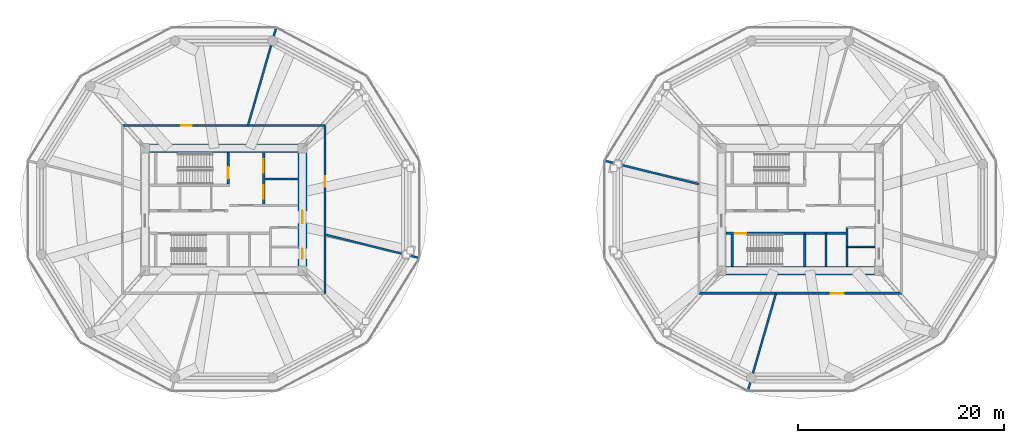
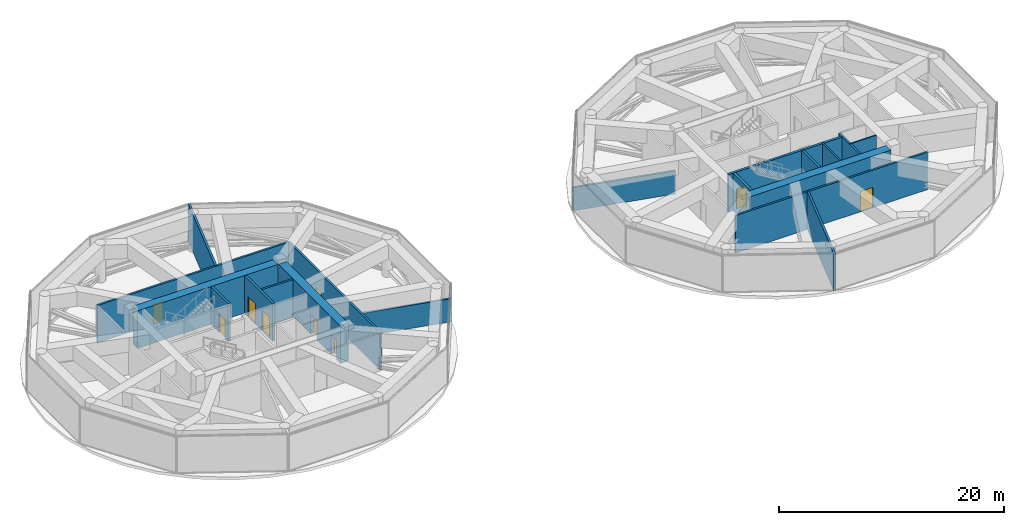
# One storey, part 17 of 22: 20 walls, 9 doors, 9 openings.
"""IFC4 building model written with IfcOpenShell, lengths in metres."""

from ifc_helpers import new_model, si_unit, direction, frame, frame_2d, origin, place, context, subcontext, project, spatial, rectangle, extrude, source, transform, mapped, material, layer, layer_set, type_object, type_shapes, element, fill, save


model = new_model("IFC4")

# Units and contexts
model_context = context("Model", 3, precision=1e-05, world=origin(), true_north=direction((0.0, 1.0)))
body_context = subcontext(model_context, "Body", "Model", "MODEL_VIEW")
ifc_project = project(units=[si_unit("LENGTHUNIT", "METRE"), si_unit("AREAUNIT", "SQUARE_METRE"), si_unit("VOLUMEUNIT", "CUBIC_METRE"), si_unit("PLANEANGLEUNIT", "RADIAN"), si_unit("MASSUNIT", "GRAM", prefix="KILO")], contexts=[model_context])

# Site, building, storey
site_placement = place(None, origin())
site = spatial("IfcSite", under=ifc_project, at=site_placement, CompositionType="ELEMENT")
building_placement = place(site_placement, origin())
building = spatial("IfcBuilding", under=site, at=building_placement, Name="Norrkilde Senior Care Towers", CompositionType="ELEMENT")
storey_placement = place(building_placement, frame((0.0, 0.0, 73.449951171875)))
storey = spatial("IfcBuildingStorey", under=building, at=storey_placement, Name="L22", CompositionType="ELEMENT", Elevation=73.449951171875)

# Walls
ifc_material_1 = material(Name="Concrete C60/75", Category="concrete")
ifc_layer_1 = layer(ifc_material_1, 0.85009765625)
ifc_layer_set_1 = layer_set([ifc_layer_1], Name="Concrete C60/75")
wall_type_1 = type_object("IfcWallType", Name="Core Shear Wall Z1 850", PredefinedType="SHEAR", material=ifc_layer_set_1)
shared_shape_1 = source(origin(), body_context, "Body", "SweptSolid", [
    extrude(rectangle(XDim=14.39990234375, YDim=0.85009765625, at=frame_2d((7.199951171875, 0.0))), origin(), (0.0, 0.0, 1.0), 4.080078125),
])
for number, where, z_axis, x_axis, name in (
    (1, (-35.199951171875, 5.949951171875, 0.0), (0.0, 0.0, 1.0), (1.0, 0.0, 0.0), "L22 Core W North Shear Wall"),
    (2, (35.199951171875, -5.949951171875, 0.0), (0.0, 0.0, 1.0), (-1.0, 0.0, 0.0), "L22 Core E South Shear Wall"),
):
    element("IfcWall", number, at=place(storey_placement, frame(where, z_axis=z_axis, x_axis=x_axis)), inside=storey, type_object=wall_type_1, Name=name, PredefinedType="SHEAR", context=body_context, shape_type="MappedRepresentation", body=[
        mapped(shared_shape_1, transform((0.0, 0.0, 0.0), x_axis=(1.0, 0.0, 0.0), y_axis=(0.0, 1.0, 0.0), z_axis=(0.0, 0.0, 1.0), scale=1.0)),
    ])

# Wall, openings, doors
shared_shape_2 = source(origin(), body_context, "Body", "SweptSolid", [
    extrude(rectangle(XDim=11.0, YDim=0.85009765625, at=frame_2d((5.5, 0.0))), origin(), (0.0, 0.0, 1.0), 4.080078125),
])
type_shapes(wall_type_1, [shared_shape_1, shared_shape_2])
wall_1_placement = place(storey_placement, frame((-20.35009765625, 5.5, 0.0), z_axis=(0.0, 0.0, 1.0), x_axis=(0.0, -1.0, 0.0)))
wall_1 = element("IfcWall", 3, at=wall_1_placement, inside=storey, type_object=wall_type_1, Name="L22 Core W East Shear Wall", PredefinedType="SHEAR", context=body_context, shape_type="MappedRepresentation", body=[
    mapped(shared_shape_2, transform((0.0, 0.0, 0.0), x_axis=(1.0, 0.0, 0.0), y_axis=(0.0, 1.0, 0.0), z_axis=(0.0, 0.0, 1.0), scale=1.0)),
])
opening_1_placement = place(wall_1_placement, frame((5.64990234375, 0.0, 0.0)))
opening_1 = element("IfcOpeningElement", 4, at=opening_1_placement, cuts=wall_1, Name="Opening D-04", PredefinedType="OPENING", context=body_context, shape_type="SweptSolid", body=[
    extrude(rectangle(XDim=1.199951171875, YDim=2.14990234375, at=frame_2d((0.60009765625, 1.074951171875))), frame((0.0, 0.43505859375, 0.0), z_axis=(0.0, -1.0, 0.0), x_axis=(1.0, 0.0, 0.0)), (0.0, 0.0, 1.0), 0.8701171875),
])
opening_2_placement = place(wall_1_placement, frame((9.300048828125, 0.0, 0.0)))
opening_2 = element("IfcOpeningElement", 5, at=opening_2_placement, cuts=wall_1, Name="Opening D-10", PredefinedType="OPENING", context=body_context, shape_type="SweptSolid", body=[
    extrude(rectangle(XDim=1.0, YDim=2.10009765625, at=frame_2d((0.5, 1.050048828125))), frame((0.0, 0.43505859375, 0.0), z_axis=(0.0, -1.0, 0.0), x_axis=(1.0, 0.0, 0.0)), (0.0, 0.0, 1.0), 0.8701171875),
])
ifc_material_2 = material(Name="Galvanised Painted Steel", Category="steel")
door_type_1 = type_object("IfcDoorType", Name="Firefighting Lobby Fire Door 1200x2150", OperationType="NOTDEFINED", PredefinedType="DOOR", material=ifc_material_2)
shared_shape_3 = source(origin(), body_context, "Body", "SweptSolid", [
    extrude(rectangle(XDim=1.199951171875, YDim=2.14990234375, at=frame_2d((0.60009765625, 1.074951171875))), frame((0.0, 0.02490234375, 0.0), z_axis=(0.0, -1.0, 0.0), x_axis=(1.0, 0.0, 0.0)), (0.0, 0.0, 1.0), 0.050048828125),
])
type_shapes(door_type_1, [shared_shape_3])
door_1_placement = place(opening_1_placement, frame((1.199951171875, 0.0, 0.0), z_axis=(0.0, 0.0, 1.0), x_axis=(-1.0, 0.0, 0.0)))
door_1 = element("IfcDoor", 6, at=door_1_placement, inside=storey, type_object=door_type_1, Name="L22 Core W East Portal Door", OperationType="SINGLE_SWING_RIGHT", OverallHeight=2.14990234375, OverallWidth=1.199951171875, PredefinedType="DOOR", context=body_context, shape_type="MappedRepresentation", body=[
    mapped(shared_shape_3, transform((0.0, 0.0, 0.0), x_axis=(1.0, 0.0, 0.0), y_axis=(0.0, 1.0, 0.0), z_axis=(0.0, 0.0, 1.0), scale=1.0)),
])
fill(opening_1, door_1)
door_type_2 = type_object("IfcDoorType", Name="Plant and Riser Rated Door 1000x2100", OperationType="NOTDEFINED", PredefinedType="DOOR", material=ifc_material_2)
shared_shape_4 = source(origin(), body_context, "Body", "SweptSolid", [
    extrude(rectangle(XDim=1.0, YDim=2.10009765625, at=frame_2d((0.5, 1.050048828125))), frame((0.0, 0.02490234375, 0.0), z_axis=(0.0, -1.0, 0.0), x_axis=(1.0, 0.0, 0.0)), (0.0, 0.0, 1.0), 0.050048828125),
])
type_shapes(door_type_2, [shared_shape_4])
door_2_placement = place(opening_2_placement, frame((1.0, 0.0, 0.0), z_axis=(0.0, 0.0, 1.0), x_axis=(-1.0, 0.0, 0.0)))
door_2 = element("IfcDoor", 7, at=door_2_placement, inside=storey, type_object=door_type_2, Name="L22 Ventilation Riser W Door", OperationType="SINGLE_SWING_RIGHT", OverallHeight=2.10009765625, OverallWidth=1.0, PredefinedType="DOOR", context=body_context, shape_type="MappedRepresentation", body=[
    mapped(shared_shape_4, transform((0.0, 0.0, 0.0), x_axis=(1.0, 0.0, 0.0), y_axis=(0.0, 1.0, 0.0), z_axis=(0.0, 0.0, 1.0), scale=1.0)),
])
fill(opening_2, door_2)

# Wall, opening, door
ifc_material_3 = material(Name="Concrete C45/55", Category="concrete")
ifc_layer_2 = layer(ifc_material_3, 0.239990234375)
ifc_layer_set_2 = layer_set([ifc_layer_2], Name="Concrete C45/55")
wall_type_2 = type_object("IfcWallType", Name="Shaft and Stair Enclosure Wall 240", PredefinedType="PARTITIONING", material=ifc_layer_set_2)
shared_shape_5 = source(origin(), body_context, "Body", "SweptSolid", [
    extrude(rectangle(XDim=7.76513671875, YDim=0.239990234375, at=frame_2d((3.882568359375, 0.0))), origin(), (0.0, 0.0, 1.0), 4.080078125),
])
wall_2_placement = place(storey_placement, frame((20.77490234375, -2.330078125, 0.0), z_axis=(0.0, 0.0, 1.0), x_axis=(1.0, 0.0, 0.0)))
wall_2 = element("IfcWall", 8, at=wall_2_placement, inside=storey, type_object=wall_type_2, Name="WL-INT-L22-E-ST2N", PredefinedType="PARTITIONING", context=body_context, shape_type="MappedRepresentation", body=[
    mapped(shared_shape_5, transform((0.0, 0.0, 0.0), x_axis=(1.0, 0.0, 0.0), y_axis=(0.0, 1.0, 0.0), z_axis=(0.0, 0.0, 1.0), scale=1.0)),
])
opening_3_placement = place(wall_2_placement, frame((0.885009765625, 0.0, 0.0)))
opening_3 = element("IfcOpeningElement", 9, at=opening_3_placement, cuts=wall_2, Name="Opening D-03", PredefinedType="OPENING", context=body_context, shape_type="SweptSolid", body=[
    extrude(rectangle(XDim=1.10009765625, YDim=2.14990234375, at=frame_2d((0.550048828125, 1.074951171875))), frame((0.0, 0.1298828125, 0.0), z_axis=(0.0, -1.0, 0.0), x_axis=(1.0, 0.0, 0.0)), (0.0, 0.0, 1.0), 0.260009765625),
])
door_type_3 = type_object("IfcDoorType", Name="Stairwell Protected Fire Door 1100x2150", OperationType="NOTDEFINED", PredefinedType="DOOR", material=ifc_material_2)
shared_shape_6 = source(origin(), body_context, "Body", "SweptSolid", [
    extrude(rectangle(XDim=1.10009765625, YDim=2.14990234375, at=frame_2d((0.550048828125, 1.074951171875))), frame((0.0, 0.02490234375, 0.0), z_axis=(0.0, -1.0, 0.0), x_axis=(1.0, 0.0, 0.0)), (0.0, 0.0, 1.0), 0.050048828125),
])
type_shapes(door_type_3, [shared_shape_6])
door_3_placement = place(opening_3_placement, frame((1.10009765625, 0.0, 0.0), z_axis=(0.0, 0.0, 1.0), x_axis=(-1.0, 0.0, 0.0)))
door_3 = element("IfcDoor", 10, at=door_3_placement, inside=storey, type_object=door_type_3, Name="L22 Stair E2 Fire Door", OperationType="SINGLE_SWING_RIGHT", OverallHeight=2.14990234375, OverallWidth=1.10009765625, PredefinedType="DOOR", context=body_context, shape_type="MappedRepresentation", body=[
    mapped(shared_shape_6, transform((0.0, 0.0, 0.0), x_axis=(1.0, 0.0, 0.0), y_axis=(0.0, 1.0, 0.0), z_axis=(0.0, 0.0, 1.0), scale=1.0)),
])
fill(opening_3, door_3)

shared_shape_7 = source(origin(), body_context, "Body", "SweptSolid", [
    extrude(rectangle(XDim=3.074951171875, YDim=0.239990234375, at=frame_2d((1.53759765625, 0.0))), origin(), (0.0, 0.0, 1.0), 4.080078125),
])
type_shapes(wall_type_2, [shared_shape_5, shared_shape_7])
wall_3_placement = place(storey_placement, frame((-27.580078125, 2.449951171875, 0.0), z_axis=(0.0, 0.0, 1.0), x_axis=(0.0, 1.0, 0.0)))
wall_3 = element("IfcWall", 11, at=wall_3_placement, inside=storey, type_object=wall_type_2, Name="WL-INT-L22-W-ST1E", PredefinedType="PARTITIONING", context=body_context, shape_type="MappedRepresentation", body=[
    mapped(shared_shape_7, transform((0.0, 0.0, 0.0), x_axis=(1.0, 0.0, 0.0), y_axis=(0.0, 1.0, 0.0), z_axis=(0.0, 0.0, 1.0), scale=1.0)),
])
opening_4_placement = place(wall_3_placement, frame((0.550048828125, 0.0, 0.0)))
opening_4 = element("IfcOpeningElement", 12, at=opening_4_placement, cuts=wall_3, Name="Opening D-03", PredefinedType="OPENING", context=body_context, shape_type="SweptSolid", body=[
    extrude(rectangle(XDim=1.10009765625, YDim=2.14990234375, at=frame_2d((0.550048828125, 1.074951171875))), frame((0.0, 0.1298828125, 0.0), z_axis=(0.0, -1.0, 0.0), x_axis=(1.0, 0.0, 0.0)), (0.0, 0.0, 1.0), 0.260009765625),
])
door_4_placement = place(opening_4_placement, origin())
door_4 = element("IfcDoor", 13, at=door_4_placement, inside=storey, type_object=door_type_3, Name="L22 Stair W1 Fire Door", OperationType="SINGLE_SWING_LEFT", OverallHeight=2.14990234375, OverallWidth=1.10009765625, PredefinedType="DOOR", context=body_context, shape_type="MappedRepresentation", body=[
    mapped(shared_shape_6, transform((0.0, 0.0, 0.0), x_axis=(1.0, 0.0, 0.0), y_axis=(0.0, 1.0, 0.0), z_axis=(0.0, 0.0, 1.0), scale=1.0)),
])
fill(opening_4, door_4)

# Walls
for number, where, z_axis, x_axis, name in (
    (14, (21.3798828125, -5.52490234375, 0.0), (0.0, 0.0, 1.0), (0.0, 1.0, 0.0), "WL-INT-L22-E-ST2W"),
    (15, (28.419921875, -5.52490234375, 0.0), (0.0, 0.0, 1.0), (0.0, 1.0, 0.0), "WL-INT-L22-E-ST2E"),
):
    element("IfcWall", number, at=place(storey_placement, frame(where, z_axis=z_axis, x_axis=x_axis)), inside=storey, type_object=wall_type_2, Name=name, PredefinedType="PARTITIONING", context=body_context, shape_type="MappedRepresentation", body=[
        mapped(shared_shape_7, transform((0.0, 0.0, 0.0), x_axis=(1.0, 0.0, 0.0), y_axis=(0.0, 1.0, 0.0), z_axis=(0.0, 0.0, 1.0), scale=1.0)),
    ])

# Wall, openings, doors
ifc_layer_3 = layer(ifc_material_3, 0.239990234375)
ifc_layer_set_3 = layer_set([ifc_layer_3], Name="Concrete C45/55")
wall_type_3 = type_object("IfcWallType", Name="Lift and Plant Rated Enclosure Partition 240", PredefinedType="PARTITIONING", material=ifc_layer_set_3)
shared_shape_8 = source(origin(), body_context, "Body", "SweptSolid", [
    extrude(rectangle(XDim=5.0, YDim=0.239990234375, at=frame_2d((2.5, 0.0))), origin(), (0.0, 0.0, 1.0), 4.06494140625),
])
wall_4_placement = place(storey_placement, frame((-24.139892578125, 0.5, 0.0), z_axis=(0.0, 0.0, 1.0), x_axis=(0.0, 1.0, 0.0)))
wall_4 = element("IfcWall", 16, at=wall_4_placement, inside=storey, type_object=wall_type_3, Name="WL-INT-L22-W-FFLE", PredefinedType="PARTITIONING", context=body_context, shape_type="MappedRepresentation", body=[
    mapped(shared_shape_8, transform((0.0, 0.0, 0.0), x_axis=(1.0, 0.0, 0.0), y_axis=(0.0, 1.0, 0.0), z_axis=(0.0, 0.0, 1.0), scale=1.0)),
])
opening_5_placement = place(wall_4_placement, frame((3.050048828125, 0.0, 0.0)))
opening_5 = element("IfcOpeningElement", 17, at=opening_5_placement, cuts=wall_4, Name="Opening LD-02", PredefinedType="OPENING", context=body_context, shape_type="SweptSolid", body=[
    extrude(rectangle(XDim=1.300048828125, YDim=2.199951171875, at=frame_2d((0.64990234375, 1.10009765625))), frame((0.0, 0.1298828125, 0.0), z_axis=(0.0, -1.0, 0.0), x_axis=(1.0, 0.0, 0.0)), (0.0, 0.0, 1.0), 0.260009765625),
])
opening_6_placement = place(wall_4_placement, frame((0.550048828125, 0.0, 0.0)))
opening_6 = element("IfcOpeningElement", 18, at=opening_6_placement, cuts=wall_4, Name="Opening LD-02", PredefinedType="OPENING", context=body_context, shape_type="SweptSolid", body=[
    extrude(rectangle(XDim=1.300048828125, YDim=2.199951171875, at=frame_2d((0.64990234375, 1.10009765625))), frame((0.0, 0.1298828125, 0.0), z_axis=(0.0, -1.0, 0.0), x_axis=(1.0, 0.0, 0.0)), (0.0, 0.0, 1.0), 0.260009765625),
])
ifc_material_4 = material(Name="Stainless Steel", Category="steel")
door_type_4 = type_object("IfcDoorType", Name="Stretcher and FFL Landing Sliding Door 1300x2200", OperationType="NOTDEFINED", PredefinedType="DOOR", material=ifc_material_4)
shared_shape_9 = source(origin(), body_context, "Body", "SweptSolid", [
    extrude(rectangle(XDim=1.300048828125, YDim=2.199951171875, at=frame_2d((0.64990234375, 1.10009765625))), frame((0.0, 0.02490234375, 0.0), z_axis=(0.0, -1.0, 0.0), x_axis=(1.0, 0.0, 0.0)), (0.0, 0.0, 1.0), 0.050048828125),
])
type_shapes(door_type_4, [shared_shape_9])
door_5_placement = place(opening_5_placement, origin())
door_5 = element("IfcDoor", 19, at=door_5_placement, inside=storey, type_object=door_type_4, Name="L22 Firefighting Lift W1 Landing Door", OperationType="SLIDING_TO_LEFT", OverallHeight=2.199951171875, OverallWidth=1.300048828125, PredefinedType="DOOR", context=body_context, shape_type="MappedRepresentation", body=[
    mapped(shared_shape_9, transform((0.0, 0.0, 0.0), x_axis=(1.0, 0.0, 0.0), y_axis=(0.0, 1.0, 0.0), z_axis=(0.0, 0.0, 1.0), scale=1.0)),
])
fill(opening_5, door_5)
door_6_placement = place(opening_6_placement, origin())
door_6 = element("IfcDoor", 20, at=door_6_placement, inside=storey, type_object=door_type_4, Name="L22 Stretcher Lift W1 Landing Door", OperationType="SLIDING_TO_RIGHT", OverallHeight=2.199951171875, OverallWidth=1.300048828125, PredefinedType="DOOR", context=body_context, shape_type="MappedRepresentation", body=[
    mapped(shared_shape_9, transform((0.0, 0.0, 0.0), x_axis=(1.0, 0.0, 0.0), y_axis=(0.0, 1.0, 0.0), z_axis=(0.0, 0.0, 1.0), scale=1.0)),
])
fill(opening_6, door_6)

# Walls
ifc_layer_4 = layer(ifc_material_3, 0.199951171875)
ifc_layer_set_4 = layer_set([ifc_layer_4], Name="Concrete C45/55")
wall_type_4 = type_object("IfcWallType", Name="Shaft Division and Plant Partition 200", PredefinedType="PARTITIONING", material=ifc_layer_set_4)
shared_shape_10 = source(origin(), body_context, "Body", "SweptSolid", [
    extrude(rectangle(XDim=3.199951171875, YDim=0.199951171875, at=frame_2d((1.60009765625, 0.0))), origin(), (0.0, 0.0, 1.0), 4.06494140625),
])
wall_5_placement = place(storey_placement, frame((-24.0, 2.949951171875, 0.0), z_axis=(0.0, 0.0, 1.0), x_axis=(1.0, 0.0, 0.0)))
element("IfcWall", 21, at=wall_5_placement, inside=storey, type_object=wall_type_4, Name="WL-INT-L22-W-FFLDIV", PredefinedType="PARTITIONING", context=body_context, shape_type="MappedRepresentation", body=[
    mapped(shared_shape_10, transform((0.0, 0.0, 0.0), x_axis=(1.0, 0.0, 0.0), y_axis=(0.0, 1.0, 0.0), z_axis=(0.0, 0.0, 1.0), scale=1.0)),
])
shared_shape_11 = source(origin(), body_context, "Body", "SweptSolid", [
    extrude(rectangle(XDim=3.800048828125, YDim=0.199951171875, at=frame_2d((1.89990234375, 0.0))), origin(), (0.0, 0.0, 1.0), 4.06494140625),
])
wall_6_placement = place(storey_placement, frame((32.550048828125, -5.550048828125, 0.0), z_axis=(0.0, 0.0, 1.0), x_axis=(0.0, 1.0, 0.0)))
element("IfcWall", 22, at=wall_6_placement, inside=storey, type_object=wall_type_4, Name="WL-INT-L22-E-PKBE", PredefinedType="PARTITIONING", context=body_context, shape_type="MappedRepresentation", body=[
    mapped(shared_shape_11, transform((0.0, 0.0, 0.0), x_axis=(1.0, 0.0, 0.0), y_axis=(0.0, 1.0, 0.0), z_axis=(0.0, 0.0, 1.0), scale=1.0)),
])
shared_shape_12 = source(origin(), body_context, "Body", "SweptSolid", [
    extrude(rectangle(XDim=4.130126953125, YDim=0.239990234375, at=frame_2d((2.06494140625, 0.0))), origin(), (0.0, 0.0, 1.0), 4.06494140625),
])
type_shapes(wall_type_3, [shared_shape_8, shared_shape_12])
wall_7_placement = place(storey_placement, frame((28.419921875, -2.330078125, 0.0), z_axis=(0.0, 0.0, 1.0), x_axis=(1.0, 0.0, 0.0)))
element("IfcWall", 23, at=wall_7_placement, inside=storey, type_object=wall_type_3, Name="WL-INT-L22-E-PKBN", PredefinedType="PARTITIONING", context=body_context, shape_type="MappedRepresentation", body=[
    mapped(shared_shape_12, transform((0.0, 0.0, 0.0), x_axis=(1.0, 0.0, 0.0), y_axis=(0.0, 1.0, 0.0), z_axis=(0.0, 0.0, 1.0), scale=1.0)),
])
ifc_layer_5 = layer(ifc_material_3, 0.179931640625)
ifc_layer_set_5 = layer_set([ifc_layer_5], Name="Concrete C45/55")
wall_type_5 = type_object("IfcWallType", Name="Hoistway Division Rated Partition 180", PredefinedType="PARTITIONING", material=ifc_layer_set_5)
shared_shape_13 = source(origin(), body_context, "Body", "SweptSolid", [
    extrude(rectangle(XDim=3.219970703125, YDim=0.179931640625, at=frame_2d((1.60986328125, 0.0))), origin(), (0.0, 0.0, 1.0), 4.06494140625),
])
type_shapes(wall_type_5, [shared_shape_13])
wall_8_placement = place(storey_placement, frame((30.5, -5.550048828125, 0.0), z_axis=(0.0, 0.0, 1.0), x_axis=(0.0, 1.0, 0.0)))
element("IfcWall", 24, at=wall_8_placement, inside=storey, type_object=wall_type_5, Name="WL-INT-L22-E-PL34", PredefinedType="PARTITIONING", context=body_context, shape_type="MappedRepresentation", body=[
    mapped(shared_shape_13, transform((0.0, 0.0, 0.0), x_axis=(1.0, 0.0, 0.0), y_axis=(0.0, 1.0, 0.0), z_axis=(0.0, 0.0, 1.0), scale=1.0)),
])
ifc_material_5 = material(Name="Gypsum Acoustic Board")
ifc_layer_6 = layer(ifc_material_5, 0.139892578125)
ifc_layer_set_6 = layer_set([ifc_layer_6], Name="Gypsum Acoustic Board")
wall_type_6 = type_object("IfcWallType", Name="En-suite Wet Room Wall 140", PredefinedType="PARTITIONING", material=ifc_layer_set_6)
shared_shape_14 = source(origin(), body_context, "Body", "SweptSolid", [
    extrude(rectangle(XDim=2.699951171875, YDim=0.139892578125, at=frame_2d((1.35009765625, 0.0))), origin(), (0.0, 0.0, 1.0), 4.06494140625),
])
type_shapes(wall_type_6, [shared_shape_14])
wall_9_placement = place(storey_placement, frame((32.550048828125, -3.64990234375, 0.0), z_axis=(0.0, 0.0, 1.0), x_axis=(1.0, 0.0, 0.0)))
element("IfcWall", 25, at=wall_9_placement, inside=storey, type_object=wall_type_6, Name="WL-INT-L22-E-CS2H", PredefinedType="PARTITIONING", context=body_context, shape_type="MappedRepresentation", body=[
    mapped(shared_shape_14, transform((0.0, 0.0, 0.0), x_axis=(1.0, 0.0, 0.0), y_axis=(0.0, 1.0, 0.0), z_axis=(0.0, 0.0, 1.0), scale=1.0)),
])

# Wall, opening, door
shared_shape_15 = source(origin(), body_context, "Body", "SweptSolid", [
    extrude(rectangle(XDim=19.7001953125, YDim=0.199951171875, at=frame_2d((9.85009765625, 0.0))), origin(), (0.0, 0.0, 1.0), 4.06494140625),
])
wall_10_placement = place(storey_placement, frame((-37.85009765625, 8.14990234375, 0.0), z_axis=(0.0, 0.0, 1.0), x_axis=(1.0, 0.0, 0.0)))
wall_10 = element("IfcWall", 26, at=wall_10_placement, inside=storey, type_object=wall_type_4, Name="WL-INT-L22-W-PCR-N", PredefinedType="PARTITIONING", context=body_context, shape_type="MappedRepresentation", body=[
    mapped(shared_shape_15, transform((0.0, 0.0, 0.0), x_axis=(1.0, 0.0, 0.0), y_axis=(0.0, 1.0, 0.0), z_axis=(0.0, 0.0, 1.0), scale=1.0)),
])
opening_7_placement = place(wall_10_placement, frame((5.73681640625, 0.0, 0.0)))
opening_7 = element("IfcOpeningElement", 27, at=opening_7_placement, cuts=wall_10, Name="Opening D-10", PredefinedType="OPENING", context=body_context, shape_type="SweptSolid", body=[
    extrude(rectangle(XDim=1.0, YDim=2.10009765625, at=frame_2d((0.5, 1.050048828125))), frame((0.0, 0.10986328125, 0.0), z_axis=(0.0, -1.0, 0.0), x_axis=(1.0, 0.0, 0.0)), (0.0, 0.0, 1.0), 0.219970703125),
])
door_7_placement = place(opening_7_placement, frame((1.0, 0.0, 0.0), z_axis=(0.0, 0.0, 1.0), x_axis=(-1.0, 0.0, 0.0)))
door_7 = element("IfcDoor", 28, at=door_7_placement, inside=storey, type_object=door_type_2, Name="L22 Dedicated Outdoor Air Handling Unit Room Door", OperationType="SINGLE_SWING_LEFT", OverallHeight=2.10009765625, OverallWidth=1.0, PredefinedType="DOOR", context=body_context, shape_type="MappedRepresentation", body=[
    mapped(shared_shape_4, transform((0.0, 0.0, 0.0), x_axis=(1.0, 0.0, 0.0), y_axis=(0.0, 1.0, 0.0), z_axis=(0.0, 0.0, 1.0), scale=1.0)),
])
fill(opening_7, door_7)

wall_11_placement = place(storey_placement, frame((37.85009765625, -8.14990234375, 0.0), z_axis=(0.0, 0.0, 1.0), x_axis=(-1.0, 0.0, 0.0)))
wall_11 = element("IfcWall", 29, at=wall_11_placement, inside=storey, type_object=wall_type_4, Name="WL-INT-L22-E-PCR-S", PredefinedType="PARTITIONING", context=body_context, shape_type="MappedRepresentation", body=[
    mapped(shared_shape_15, transform((0.0, 0.0, 0.0), x_axis=(1.0, 0.0, 0.0), y_axis=(0.0, 1.0, 0.0), z_axis=(0.0, 0.0, 1.0), scale=1.0)),
])
opening_8_placement = place(wall_11_placement, frame((5.61181640625, 0.0, 0.0)))
opening_8 = element("IfcOpeningElement", 30, at=opening_8_placement, cuts=wall_11, Name="Opening D-05", PredefinedType="OPENING", context=body_context, shape_type="SweptSolid", body=[
    extrude(rectangle(XDim=1.25, YDim=2.199951171875, at=frame_2d((0.625, 1.10009765625))), frame((0.0, 0.10986328125, 0.0), z_axis=(0.0, -1.0, 0.0), x_axis=(1.0, 0.0, 0.0)), (0.0, 0.0, 1.0), 0.219970703125),
])
ifc_material_6 = material(Name="Nordic Ash Timber", Category="wood")
door_type_5 = type_object("IfcDoorType", Name="Care Bedroom Bariatric Door 1250x2200", OperationType="NOTDEFINED", PredefinedType="DOOR", material=ifc_material_6)
shared_shape_16 = source(origin(), body_context, "Body", "SweptSolid", [
    extrude(rectangle(XDim=1.25, YDim=2.199951171875, at=frame_2d((0.625, 1.10009765625))), frame((0.0, 0.02490234375, 0.0), z_axis=(0.0, -1.0, 0.0), x_axis=(1.0, 0.0, 0.0)), (0.0, 0.0, 1.0), 0.050048828125),
])
type_shapes(door_type_5, [shared_shape_16])
door_8_placement = place(opening_8_placement, frame((1.25, 0.0, 0.0), z_axis=(0.0, 0.0, 1.0), x_axis=(-1.0, 0.0, 0.0)))
door_8 = element("IfcDoor", 31, at=door_8_placement, inside=storey, type_object=door_type_5, Name="L22 Protected Emergency Refuge Area E Door", OperationType="SINGLE_SWING_LEFT", OverallHeight=2.199951171875, OverallWidth=1.25, PredefinedType="DOOR", context=body_context, shape_type="MappedRepresentation", body=[
    mapped(shared_shape_16, transform((0.0, 0.0, 0.0), x_axis=(1.0, 0.0, 0.0), y_axis=(0.0, 1.0, 0.0), z_axis=(0.0, 0.0, 1.0), scale=1.0)),
])
fill(opening_8, door_8)

shared_shape_17 = source(origin(), body_context, "Body", "SweptSolid", [
    extrude(rectangle(XDim=16.2998046875, YDim=0.199951171875, at=frame_2d((8.14990234375, 0.0))), origin(), (0.0, 0.0, 1.0), 4.06494140625),
])
wall_12_placement = place(storey_placement, frame((-18.14990234375, 8.14990234375, 0.0), z_axis=(0.0, 0.0, 1.0), x_axis=(0.0, -1.0, 0.0)))
wall_12 = element("IfcWall", 32, at=wall_12_placement, inside=storey, type_object=wall_type_4, Name="WL-INT-L22-W-PCR-E", PredefinedType="PARTITIONING", context=body_context, shape_type="MappedRepresentation", body=[
    mapped(shared_shape_17, transform((0.0, 0.0, 0.0), x_axis=(1.0, 0.0, 0.0), y_axis=(0.0, 1.0, 0.0), z_axis=(0.0, 0.0, 1.0), scale=1.0)),
])
opening_9_placement = place(wall_12_placement, frame((4.953125, 0.0, 0.0)))
opening_9 = element("IfcOpeningElement", 33, at=opening_9_placement, cuts=wall_12, Name="Opening D-10", PredefinedType="OPENING", context=body_context, shape_type="SweptSolid", body=[
    extrude(rectangle(XDim=1.0, YDim=2.10009765625, at=frame_2d((0.5, 1.050048828125))), frame((0.0, 0.10986328125, 0.0), z_axis=(0.0, -1.0, 0.0), x_axis=(1.0, 0.0, 0.0)), (0.0, 0.0, 1.0), 0.219970703125),
])
door_9_placement = place(opening_9_placement, frame((1.0, 0.0, 0.0), z_axis=(0.0, 0.0, 1.0), x_axis=(-1.0, 0.0, 0.0)))
door_9 = element("IfcDoor", 34, at=door_9_placement, inside=storey, type_object=door_type_2, Name="L22 Chiller and Heat-Recovery Cooling Plant Door", OperationType="SINGLE_SWING_RIGHT", OverallHeight=2.10009765625, OverallWidth=1.0, PredefinedType="DOOR", context=body_context, shape_type="MappedRepresentation", body=[
    mapped(shared_shape_4, transform((0.0, 0.0, 0.0), x_axis=(1.0, 0.0, 0.0), y_axis=(0.0, 1.0, 0.0), z_axis=(0.0, 0.0, 1.0), scale=1.0)),
])
fill(opening_9, door_9)

# Walls
shared_shape_18 = source(origin(), body_context, "Body", "SweptSolid", [
    extrude(rectangle(XDim=9.9150390625, YDim=0.199951171875, at=frame_2d((4.95751953125, 0.0))), origin(), (0.0, 0.0, 1.0), 4.06494140625),
])
for number, where, z_axis, x_axis, name in (
    (35, (-25.649169921875, 8.14990234375, 0.0), (0.0, 0.0, 1.0), (0.277136607861, 0.960830526463, 0.0), "WL-INT-L22-W-PRAD-2-0"),
    (36, (25.649169921875, -8.14990234375, 0.0), (0.0, 0.0, 1.0), (-0.277136607861, -0.960830526463, 0.0), "WL-INT-L22-E-PRAD-0-0"),
):
    element("IfcWall", number, at=place(storey_placement, frame(where, z_axis=z_axis, x_axis=x_axis)), inside=storey, type_object=wall_type_4, Name=name, PredefinedType="PARTITIONING", context=body_context, shape_type="MappedRepresentation", body=[
        mapped(shared_shape_18, transform((0.0, 0.0, 0.0), x_axis=(1.0, 0.0, 0.0), y_axis=(0.0, 1.0, 0.0), z_axis=(0.0, 0.0, 1.0), scale=1.0)),
    ])
shared_shape_19 = source(origin(), body_context, "Body", "SweptSolid", [
    extrude(rectangle(XDim=9.458740234375, YDim=0.199951171875, at=frame_2d((4.7294921875, 0.0))), origin(), (0.0, 0.0, 1.0), 2.51513671875),
])
type_shapes(wall_type_4, [shared_shape_10, shared_shape_11, shared_shape_15, shared_shape_17, shared_shape_18, shared_shape_19])
for number, where, z_axis, x_axis, name in (
    (37, (-18.14990234375, -2.45166015625, 0.0), (0.0, 0.0, 1.0), (0.970390989268, -0.241539495626, 0.0), "WL-INT-L22-W-PRAD-1-0"),
    (38, (18.14990234375, 2.45166015625, 0.0), (0.0, 0.0, 1.0), (-0.970390989268, 0.241539495626, 0.0), "WL-INT-L22-E-PRAD-3-0"),
):
    element("IfcWall", number, at=place(storey_placement, frame(where, z_axis=z_axis, x_axis=x_axis)), inside=storey, type_object=wall_type_4, Name=name, PredefinedType="PARTITIONING", context=body_context, shape_type="MappedRepresentation", body=[
        mapped(shared_shape_19, transform((0.0, 0.0, 0.0), x_axis=(1.0, 0.0, 0.0), y_axis=(0.0, 1.0, 0.0), z_axis=(0.0, 0.0, 1.0), scale=1.0)),
    ])

save(model, "model.ifc")
